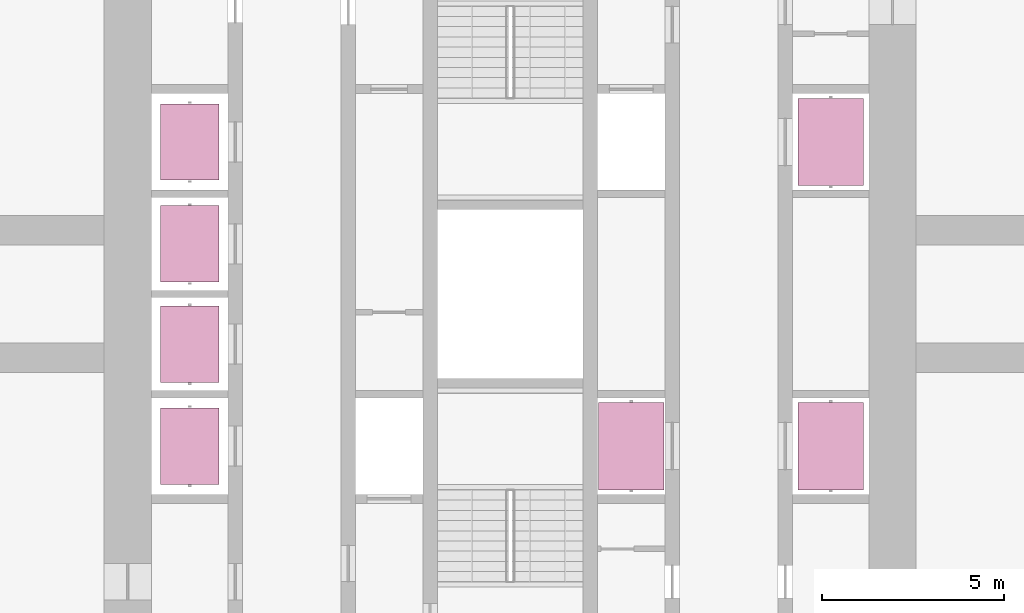
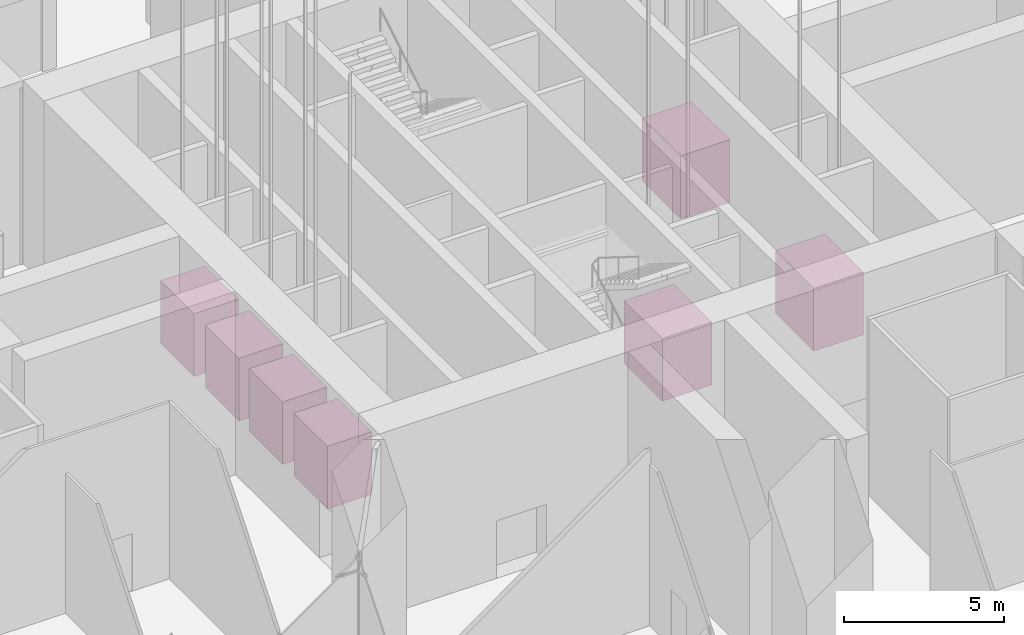
# One storey, part 29 of 43: 7 transport elements.
"""IFC4 building model written with IfcOpenShell, lengths in metres."""

from ifc_helpers import new_model, si_unit, direction, frame, origin, origin_2d, place, context, subcontext, project, spatial, rectangle, extrude, material, type_object, element, save


model = new_model("IFC4")

# Units and contexts
model_context = context("Model", 3, precision=1e-05, world=origin(), true_north=direction((0.0, 1.0)))
body_context = subcontext(model_context, "Body", "Model", "MODEL_VIEW")
ifc_project = project(units=[si_unit("LENGTHUNIT", "METRE"), si_unit("AREAUNIT", "SQUARE_METRE"), si_unit("VOLUMEUNIT", "CUBIC_METRE"), si_unit("PLANEANGLEUNIT", "RADIAN"), si_unit("MASSUNIT", "GRAM", prefix="KILO")], contexts=[model_context])

# Site, building, storey
site_placement = place(None, origin())
site = spatial("IfcSite", under=ifc_project, at=site_placement, CompositionType="ELEMENT")
building_placement = place(site_placement, origin())
building = spatial("IfcBuilding", under=site, at=building_placement, Name="Mizan Broadcast Tower", CompositionType="ELEMENT")
storey_placement = place(building_placement, origin())
storey = spatial("IfcBuildingStorey", under=building, at=storey_placement, Name="L00", CompositionType="ELEMENT", Elevation=0.0)

# Transport elements
ifc_material_1 = material(Name="Stainless steel lift car", Category="steel")
transport_element_type_1 = type_object("IfcTransportElementType", Name="LIFT CAR PASSENGER 2100x1600", PredefinedType="ELEVATOR", material=ifc_material_1)
for number, where, z_axis, x_axis, name in (
    (1, (-8.800048828125, -4.175048828125, 0.0), (0.0, 0.0, 1.0), (1.0, 0.0, 0.0), "Lift LA1"),
    (2, (-8.800048828125, -1.375, 0.0), (0.0, 0.0, 1.0), (1.0, 0.0, 0.0), "Lift LA2"),
    (3, (-8.800048828125, 1.375, 0.0), (0.0, 0.0, 1.0), (1.0, 0.0, 0.0), "Lift LA3"),
    (4, (-8.800048828125, 4.175048828125, 0.0), (0.0, 0.0, 1.0), (1.0, 0.0, 0.0), "Lift LA4"),
):
    element("IfcTransportElement", number, at=place(storey_placement, frame(where, z_axis=z_axis, x_axis=x_axis)), inside=storey, type_object=transport_element_type_1, Name=name, PredefinedType="ELEVATOR", context=body_context, shape_type="SweptSolid", body=[
        extrude(rectangle(XDim=1.60009765625, YDim=2.10009765625, at=origin_2d()), origin(), (0.0, 0.0, 1.0), 2.39990234375),
    ])
ifc_material_2 = material(Name="Stainless steel lift car", Category="steel")
transport_element_type_2 = type_object("IfcTransportElementType", Name="LIFT CAR SHUTTLE 2400x1800", PredefinedType="ELEVATOR", material=ifc_material_2)
for number, where, z_axis, x_axis, name in (
    (5, (8.800048828125, 4.175048828125, 0.0), (0.0, 0.0, 1.0), (1.0, 0.0, 0.0), "Lift SH1"),
    (6, (8.800048828125, -4.175048828125, 0.0), (0.0, 0.0, 1.0), (1.0, 0.0, 0.0), "Lift SH2"),
    (7, (3.324951171875, -4.175048828125, 0.0), (0.0, 0.0, 1.0), (1.0, 0.0, 0.0), "Lift SH3"),
):
    element("IfcTransportElement", number, at=place(storey_placement, frame(where, z_axis=z_axis, x_axis=x_axis)), inside=storey, type_object=transport_element_type_2, Name=name, PredefinedType="ELEVATOR", context=body_context, shape_type="SweptSolid", body=[
        extrude(rectangle(XDim=1.800048828125, YDim=2.39990234375, at=origin_2d()), origin(), (0.0, 0.0, 1.0), 2.39990234375),
    ])

save(model, "model.ifc")
